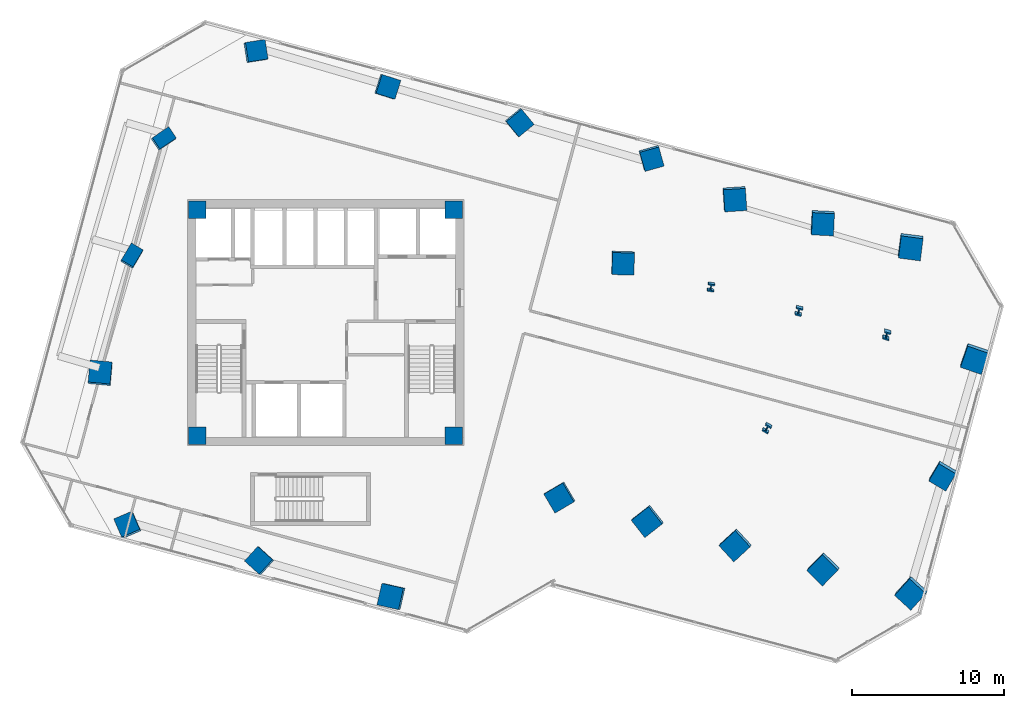
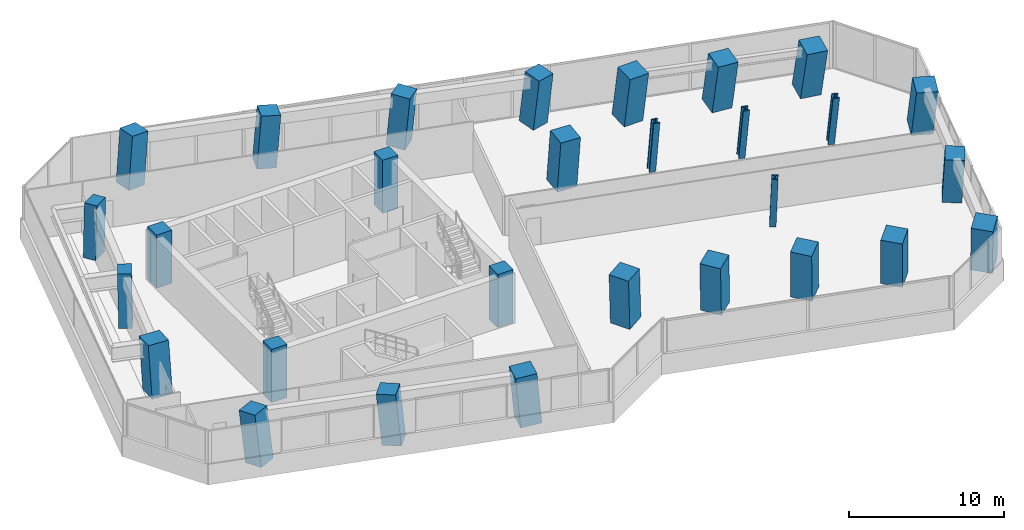
# One storey, part 1 of 26: 29 columns.
"""IFC4 building model written with IfcOpenShell, lengths in metres."""

from ifc_helpers import new_model, si_unit, direction, frame, origin, origin_2d, place, context, subcontext, project, spatial, rectangle, i_section, extrude, clip, halfspace, source, transform, mapped, material, material_profile, profile_set, type_object, element, save


model = new_model("IFC4")

# Units and contexts
model_context = context("Model", 3, precision=1e-05, world=origin(), true_north=direction((0.0, 1.0)))
body_context = subcontext(model_context, "Body", "Model", "MODEL_VIEW")
ifc_project = project(units=[si_unit("LENGTHUNIT", "METRE"), si_unit("AREAUNIT", "SQUARE_METRE"), si_unit("VOLUMEUNIT", "CUBIC_METRE"), si_unit("PLANEANGLEUNIT", "RADIAN"), si_unit("MASSUNIT", "GRAM", prefix="KILO")], contexts=[model_context])

# Site, building, storey
site_placement = place(None, origin())
site = spatial("IfcSite", under=ifc_project, at=site_placement, CompositionType="ELEMENT")
building_placement = place(site_placement, origin())
building = spatial("IfcBuilding", under=site, at=building_placement, Name="Torre Montelarca", CompositionType="ELEMENT")
storey_placement = place(building_placement, frame((0.0, 0.0, 104.199951171875)))
storey = spatial("IfcBuildingStorey", under=building, at=storey_placement, Name="L23", CompositionType="ELEMENT", Elevation=104.199951171875)

# Columns
ifc_material_1 = material(Name="Concrete C55/67", Category="concrete")
ifc_material_profile_1 = material_profile(ifc_material_1, rectangle(XDim=0.89990234375, YDim=1.300048828125, at=origin_2d()), Name="RC1300X900", Category="concrete")
ifc_profile_set_1 = profile_set([ifc_material_profile_1], Name="Concrete C55/67")
column_type_1 = type_object("IfcColumnType", Name="COL-PIL1300-EXT", PredefinedType="PILASTER", material=ifc_profile_set_1)
column_1_placement = place(storey_placement, frame((5.22412109375, 36.361083984375, 0.0), z_axis=(0.023510644538, 0.083966587636, 0.996191177312), x_axis=(0.860632256637, -0.508726650715, 0.022567979268)))
element("IfcColumn", 1, at=column_1_placement, inside=storey, type_object=column_type_1, Name="L23 Column 1W/E", PredefinedType="PILASTER", context=body_context, shape_type="Clipping", body=[
    clip(clip(extrude(rectangle(XDim=0.89990234375, YDim=1.300048828125, at=origin_2d()), origin(), (0.0, 0.0, 1.0), 4.216064453125), halfspace(frame((0.0, 0.0, 0.06591796875), z_axis=(0.0, 0.0, -1.0), x_axis=(1.0, 0.0, 0.0)), False)), halfspace(frame((0.0, 0.0, 4.150146484375), z_axis=(0.0, 0.0, 1.0), x_axis=(1.0, 0.0, 0.0)), False)),
])
column_2_placement = place(storey_placement, frame((7.294677734375, 44.08837890625, 0.0), z_axis=(0.063297021614, 0.072785789023, 0.995336986136), x_axis=(0.559820742609, -0.828237566944, 0.02496535295)))
element("IfcColumn", 2, at=column_2_placement, inside=storey, type_object=column_type_1, Name="L23 Column 1W/F", PredefinedType="PILASTER", context=body_context, shape_type="Clipping", body=[
    clip(clip(extrude(rectangle(XDim=0.89990234375, YDim=1.300048828125, at=origin_2d()), origin(), (0.0, 0.0, 1.0), 4.2197265625), halfspace(frame((0.0, 0.0, 0.07275390625), z_axis=(0.0, 0.0, -1.0), x_axis=(1.0, 0.0, 0.0)), False)), halfspace(frame((0.0, 0.0, 4.14697265625), z_axis=(0.0, 0.0, 1.0), x_axis=(1.0, 0.0, 0.0)), False)),
])
ifc_material_2 = material(Name="Concrete C70/85", Category="concrete")
ifc_material_profile_2 = material_profile(ifc_material_2, rectangle(XDim=1.300048828125, YDim=1.300048828125, at=origin_2d()), Name="RC1300X1300", Category="concrete")
ifc_profile_set_2 = profile_set([ifc_material_profile_2], Name="Concrete C70/85")
column_type_2 = type_object("IfcColumnType", Name="COL-RC1300-EXT", PredefinedType="COLUMN", material=ifc_profile_set_2)
column_3_placement = place(storey_placement, frame((4.97412109375, 18.621337890625, 0.0), z_axis=(-0.068120325532, 0.08608930029, 0.993955861004), x_axis=(0.917104606018, 0.397632779952, 0.028413270265)))
element("IfcColumn", 3, at=column_3_placement, inside=storey, type_object=column_type_2, Name="L23 Column 2/CS", PredefinedType="COLUMN", context=body_context, shape_type="Clipping", body=[
    clip(clip(extrude(rectangle(XDim=1.300048828125, YDim=1.300048828125, at=origin_2d()), origin(), (0.0, 0.0, 1.0), 4.2255859375), halfspace(frame((0.0, 0.0, 0.088623046875), z_axis=(0.0, 0.0, -1.0), x_axis=(1.0, 0.0, 0.0)), False)), halfspace(frame((0.0, 0.0, 4.136962890625), z_axis=(0.0, 0.0, 1.0), x_axis=(1.0, 0.0, 0.0)), False)),
])
column_4_placement = place(storey_placement, frame((13.346923828125, 49.868896484375, 0.0), z_axis=(0.092815704431, 0.041116489627, 0.994833995846), x_axis=(0.155810351759, -0.987437496095, 0.026274047849)))
element("IfcColumn", 4, at=column_4_placement, inside=storey, type_object=column_type_2, Name="L23 Column 2/GN", PredefinedType="COLUMN", context=body_context, shape_type="Clipping", body=[
    clip(clip(extrude(rectangle(XDim=1.300048828125, YDim=1.300048828125, at=origin_2d()), origin(), (0.0, 0.0, 1.0), 4.2216796875), halfspace(frame((0.0, 0.0, 0.08203125), z_axis=(0.0, 0.0, -1.0), x_axis=(1.0, 0.0, 0.0)), False)), halfspace(frame((0.0, 0.0, 4.1396484375), z_axis=(0.0, 0.0, 1.0), x_axis=(1.0, 0.0, 0.0)), False)),
])
column_5_placement = place(storey_placement, frame((13.66748046875, 16.2919921875, 0.0), z_axis=(-0.080755937676, 0.041391036156, 0.99587411888), x_axis=(0.669957556418, 0.742027795746, 0.023486654493)))
element("IfcColumn", 5, at=column_5_placement, inside=storey, type_object=column_type_2, Name="L23 Column 3/CS", PredefinedType="COLUMN", context=body_context, shape_type="Clipping", body=[
    clip(clip(extrude(rectangle(XDim=1.300048828125, YDim=1.300048828125, at=origin_2d()), origin(), (0.0, 0.0, 1.0), 4.21728515625), halfspace(frame((0.0, 0.0, 0.0732421875), z_axis=(0.0, 0.0, -1.0), x_axis=(1.0, 0.0, 0.0)), False)), halfspace(frame((0.0, 0.0, 4.14404296875), z_axis=(0.0, 0.0, 1.0), x_axis=(1.0, 0.0, 0.0)), False)),
])
column_6_placement = place(storey_placement, frame((22.040283203125, 47.53955078125, 0.0), z_axis=(0.080421722381, -0.003650265497, 0.996754243598), x_axis=(-0.301511014644, -0.953234999804, 0.020836103199)))
element("IfcColumn", 6, at=column_6_placement, inside=storey, type_object=column_type_2, Name="L23 Column 3/GN", PredefinedType="COLUMN", context=body_context, shape_type="Clipping", body=[
    clip(clip(extrude(rectangle(XDim=1.300048828125, YDim=1.300048828125, at=origin_2d()), origin(), (0.0, 0.0, 1.0), 4.213623046875), halfspace(frame((0.0, 0.0, 0.06494140625), z_axis=(0.0, 0.0, -1.0), x_axis=(1.0, 0.0, 0.0)), False)), halfspace(frame((0.0, 0.0, 4.148681640625), z_axis=(0.0, 0.0, 1.0), x_axis=(1.0, 0.0, 0.0)), False)),
])
column_7_placement = place(storey_placement, frame((30.733642578125, 45.210205078125, 0.0), z_axis=(0.067889968656, -0.048542486121, 0.996511203749), x_axis=(-0.771615774853, -0.635722031456, 0.021600803684)))
element("IfcColumn", 7, at=column_7_placement, inside=storey, type_object=column_type_2, Name="L23 Column 4/GN", PredefinedType="COLUMN", context=body_context, shape_type="Clipping", body=[
    clip(clip(extrude(rectangle(XDim=1.300048828125, YDim=1.300048828125, at=origin_2d()), origin(), (0.0, 0.0, 1.0), 4.214599609375), halfspace(frame((0.0, 0.0, 0.0673828125), z_axis=(0.0, 0.0, -1.0), x_axis=(1.0, 0.0, 0.0)), False)), halfspace(frame((0.0, 0.0, 4.147216796875), z_axis=(0.0, 0.0, 1.0), x_axis=(1.0, 0.0, 0.0)), False)),
])
column_8_placement = place(storey_placement, frame((39.427001953125, 42.880859375, 0.0), z_axis=(0.055187214382, -0.09315370637, 0.994121098437), x_axis=(-0.962180939911, -0.270965921455, 0.028023352452)))
element("IfcColumn", 8, at=column_8_placement, inside=storey, type_object=column_type_2, Name="L23 Column 5/GN", PredefinedType="COLUMN", context=body_context, shape_type="Clipping", body=[
    clip(clip(extrude(rectangle(XDim=1.300048828125, YDim=1.300048828125, at=origin_2d()), origin(), (0.0, 0.0, 1.0), 4.224853515625), halfspace(frame((0.0, 0.0, 0.08740234375), z_axis=(0.0, 0.0, -1.0), x_axis=(1.0, 0.0, 0.0)), False)), halfspace(frame((0.0, 0.0, 4.137451171875), z_axis=(0.0, 0.0, 1.0), x_axis=(1.0, 0.0, 0.0)), False)),
])
column_9_placement = place(storey_placement, frame((58.68798828125, 22.035400390625, 0.0), z_axis=(-0.05278288811, -0.188844177439, 0.980587499089), x_axis=(-0.861952840318, 0.504442031297, 0.0507497599)))
element("IfcColumn", 9, at=column_9_placement, inside=storey, type_object=column_type_2, Name="L23 Column 9/E", PredefinedType="COLUMN", context=body_context, shape_type="Clipping", body=[
    clip(clip(extrude(rectangle(XDim=1.300048828125, YDim=1.300048828125, at=origin_2d()), origin(), (0.0, 0.0, 1.0), 4.283203125), halfspace(frame((0.0, 0.0, 0.159912109375), z_axis=(0.0, 0.0, -1.0), x_axis=(1.0, 0.0, 0.0)), False)), halfspace(frame((0.0, 0.0, 4.123291015625), z_axis=(0.0, 0.0, 1.0), x_axis=(1.0, 0.0, 0.0)), False)),
])
ifc_material_profile_3 = material_profile(ifc_material_2, rectangle(XDim=1.449951171875, YDim=1.449951171875, at=origin_2d()), Name="RC1450X1450", Category="concrete")
ifc_profile_set_3 = profile_set([ifc_material_profile_3], Name="Concrete C70/85")
column_type_3 = type_object("IfcColumnType", Name="COL-RC1450", PredefinedType="COLUMN", material=ifc_profile_set_3)
column_10_placement = place(storey_placement, frame((33.435302734375, 20.519775390625, 0.0), z_axis=(-0.060058537002, -0.06110101884, 0.996323058867), x_axis=(-0.508099790771, 0.861012712784, 0.022174558447)))
element("IfcColumn", 10, at=column_10_placement, inside=storey, type_object=column_type_3, Name="L23 Column 5/D", PredefinedType="COLUMN", context=body_context, shape_type="Clipping", body=[
    clip(clip(extrude(rectangle(XDim=1.449951171875, YDim=1.449951171875, at=origin_2d()), origin(), (0.0, 0.0, 1.0), 4.21533203125), halfspace(frame((0.0, 0.0, 0.0771484375), z_axis=(0.0, 0.0, -1.0), x_axis=(1.0, 0.0, 0.0)), False)), halfspace(frame((0.0, 0.0, 4.13818359375), z_axis=(0.0, 0.0, 1.0), x_axis=(1.0, 0.0, 0.0)), False)),
])
column_11_placement = place(storey_placement, frame((37.576416015625, 35.974609375, 0.0), z_axis=(0.019691201847, -0.083455946651, 0.99631689815), x_axis=(-0.999328424662, 0.029157610991, 0.022193093171)))
element("IfcColumn", 11, at=column_11_placement, inside=storey, type_object=column_type_3, Name="L23 Column 5/F", PredefinedType="COLUMN", context=body_context, shape_type="Clipping", body=[
    clip(clip(extrude(rectangle(XDim=1.449951171875, YDim=1.449951171875, at=origin_2d()), origin(), (0.0, 0.0, 1.0), 4.215576171875), halfspace(frame((0.0, 0.0, 0.0771484375), z_axis=(0.0, 0.0, -1.0), x_axis=(1.0, 0.0, 0.0)), False)), halfspace(frame((0.0, 0.0, 4.138427734375), z_axis=(0.0, 0.0, 1.0), x_axis=(1.0, 0.0, 0.0)), False)),
])
column_12_placement = place(storey_placement, frame((39.23095703125, 18.966796875, 0.0), z_axis=(-0.068264249605, -0.090787986784, 0.993527822299), x_axis=(-0.617495616546, 0.786024721105, 0.029399002663)))
element("IfcColumn", 12, at=column_12_placement, inside=storey, type_object=column_type_3, Name="L23 Column 6/D", PredefinedType="COLUMN", context=body_context, shape_type="Clipping", body=[
    clip(clip(extrude(rectangle(XDim=1.449951171875, YDim=1.449951171875, at=origin_2d()), origin(), (0.0, 0.0, 1.0), 4.227294921875), halfspace(frame((0.0, 0.0, 0.102294921875), z_axis=(0.0, 0.0, -1.0), x_axis=(1.0, 0.0, 0.0)), False)), halfspace(frame((0.0, 0.0, 4.125), z_axis=(0.0, 0.0, 1.0), x_axis=(1.0, 0.0, 0.0)), False)),
])
column_13_placement = place(storey_placement, frame((44.9248046875, 40.21728515625, 0.0), z_axis=(0.041047961289, -0.121183728413, 0.99178100851), x_axis=(-0.997219027055, -0.066765268873, 0.033115116671)))
element("IfcColumn", 13, at=column_13_placement, inside=storey, type_object=column_type_3, Name="L23 Column 6/G", PredefinedType="COLUMN", context=body_context, shape_type="Clipping", body=[
    clip(clip(extrude(rectangle(XDim=1.449951171875, YDim=1.449951171875, at=origin_2d()), origin(), (0.0, 0.0, 1.0), 4.23486328125), halfspace(frame((0.0, 0.0, 0.115234375), z_axis=(0.0, 0.0, -1.0), x_axis=(1.0, 0.0, 0.0)), False)), halfspace(frame((0.0, 0.0, 4.11962890625), z_axis=(0.0, 0.0, 1.0), x_axis=(1.0, 0.0, 0.0)), False)),
])
column_14_placement = place(storey_placement, frame((45.026611328125, 17.413818359375, 0.0), z_axis=(-0.076352194351, -0.120138192769, 0.989816729024), x_axis=(-0.677808462842, 0.734314874287, 0.036842273285)))
element("IfcColumn", 14, at=column_14_placement, inside=storey, type_object=column_type_3, Name="L23 Column 7/D", PredefinedType="COLUMN", context=body_context, shape_type="Clipping", body=[
    clip(clip(extrude(rectangle(XDim=1.449951171875, YDim=1.449951171875, at=origin_2d()), origin(), (0.0, 0.0, 1.0), 4.2431640625), halfspace(frame((0.0, 0.0, 0.12841796875), z_axis=(0.0, 0.0, -1.0), x_axis=(1.0, 0.0, 0.0)), False)), halfspace(frame((0.0, 0.0, 4.11474609375), z_axis=(0.0, 0.0, 1.0), x_axis=(1.0, 0.0, 0.0)), False)),
])
column_15_placement = place(storey_placement, frame((50.720458984375, 38.664306640625, 0.0), z_axis=(0.032566924694, -0.150370738711, 0.988093131418), x_axis=(-0.998171026608, 0.04548495086, 0.039821111053)))
element("IfcColumn", 15, at=column_15_placement, inside=storey, type_object=column_type_3, Name="L23 Column 7/G", PredefinedType="COLUMN", context=body_context, shape_type="Clipping", body=[
    clip(clip(extrude(rectangle(XDim=1.449951171875, YDim=1.449951171875, at=origin_2d()), origin(), (0.0, 0.0, 1.0), 4.25048828125), halfspace(frame((0.0, 0.0, 0.138916015625), z_axis=(0.0, 0.0, -1.0), x_axis=(1.0, 0.0, 0.0)), False)), halfspace(frame((0.0, 0.0, 4.111572265625), z_axis=(0.0, 0.0, 1.0), x_axis=(1.0, 0.0, 0.0)), False)),
])
column_16_placement = place(storey_placement, frame((50.822021484375, 15.861083984375, 0.0), z_axis=(-0.084243983137, -0.149188019084, 0.985213624686), x_axis=(-0.71571068798, 0.696987703151, 0.044343576393)))
element("IfcColumn", 16, at=column_16_placement, inside=storey, type_object=column_type_3, Name="L23 Column 8/D", PredefinedType="COLUMN", context=body_context, shape_type="Clipping", body=[
    clip(clip(extrude(rectangle(XDim=1.449951171875, YDim=1.449951171875, at=origin_2d()), origin(), (0.0, 0.0, 1.0), 4.262939453125), halfspace(frame((0.0, 0.0, 0.155029296875), z_axis=(0.0, 0.0, -1.0), x_axis=(1.0, 0.0, 0.0)), False)), halfspace(frame((0.0, 0.0, 4.10791015625), z_axis=(0.0, 0.0, 1.0), x_axis=(1.0, 0.0, 0.0)), False)),
])
column_17_placement = place(storey_placement, frame((56.51611328125, 37.111328125, 0.0), z_axis=(0.024126371662, -0.179175471061, 0.983521259943), x_axis=(-0.991256116404, 0.123376535336, 0.04679254449)))
element("IfcColumn", 17, at=column_17_placement, inside=storey, type_object=column_type_3, Name="L23 Column 8/G", PredefinedType="COLUMN", context=body_context, shape_type="Clipping", body=[
    clip(clip(extrude(rectangle(XDim=1.449951171875, YDim=1.449951171875, at=origin_2d()), origin(), (0.0, 0.0, 1.0), 4.270263671875), halfspace(frame((0.0, 0.0, 0.163818359375), z_axis=(0.0, 0.0, -1.0), x_axis=(1.0, 0.0, 0.0)), False)), halfspace(frame((0.0, 0.0, 4.1064453125), z_axis=(0.0, 0.0, 1.0), x_axis=(1.0, 0.0, 0.0)), False)),
])
ifc_material_profile_4 = material_profile(ifc_material_2, rectangle(XDim=1.449951171875, YDim=1.449951171875, at=origin_2d()), Name="RC1450X1450", Category="concrete")
ifc_profile_set_4 = profile_set([ifc_material_profile_4], Name="Concrete C70/85")
column_type_4 = type_object("IfcColumnType", Name="COL-RC1450-EXT", PredefinedType="COLUMN", material=ifc_profile_set_4)
column_18_placement = place(storey_placement, frame((22.36083984375, 13.962646484375, 0.0), z_axis=(-0.093295324518, -0.003472530689, 0.995632424117), x_axis=(0.221582622919, 0.974842179451, 0.024163327263)))
element("IfcColumn", 18, at=column_18_placement, inside=storey, type_object=column_type_4, Name="L23 Perimeter Mega Column 4/CS", PredefinedType="COLUMN", context=body_context, shape_type="Clipping", body=[
    clip(clip(extrude(rectangle(XDim=1.449951171875, YDim=1.449951171875, at=origin_2d()), origin(), (0.0, 0.0, 1.0), 4.21826171875), halfspace(frame((0.0, 0.0, 0.083984375), z_axis=(0.0, 0.0, -1.0), x_axis=(1.0, 0.0, 0.0)), False)), halfspace(frame((0.0, 0.0, 4.13427734375), z_axis=(0.0, 0.0, 1.0), x_axis=(1.0, 0.0, 0.0)), False)),
])
for number, where, z_axis, x_axis, name in (
    (19, (56.61767578125, 14.30810546875, 0.0), (-0.091979563924, -0.1777512192, 0.979767453988), (-0.74133412951, 0.66913412922, 0.051799860381), "L23 Perimeter Mega Column 9/D"),
    (20, (60.7587890625, 29.762939453125, 0.0), (-0.013554887194, -0.199678296222, 0.979767749546), (-0.946533328011, 0.31842027609, 0.051799485898), "L23 Perimeter Mega Column 9/F"),
):
    element("IfcColumn", number, at=place(storey_placement, frame(where, z_axis=z_axis, x_axis=x_axis)), inside=storey, type_object=column_type_4, Name=name, PredefinedType="COLUMN", context=body_context, shape_type="Clipping", body=[
        clip(clip(extrude(rectangle(XDim=1.449951171875, YDim=1.449951171875, at=origin_2d()), origin(), (0.0, 0.0, 1.0), 4.28662109375), halfspace(frame((0.0, 0.0, 0.18212890625), z_axis=(0.0, 0.0, -1.0), x_axis=(1.0, 0.0, 0.0)), False)), halfspace(frame((0.0, 0.0, 4.1044921875), z_axis=(0.0, 0.0, 1.0), x_axis=(1.0, 0.0, 0.0)), False)),
    ])
column_19_placement = place(storey_placement, frame((3.153564453125, 28.6337890625, 0.0), z_axis=(-0.016373995862, 0.095003891187, 0.995342229044), x_axis=(0.995646203218, -0.089811292785, 0.024951346757)))
element("IfcColumn", 21, at=column_19_placement, inside=storey, type_object=column_type_4, Name="L23 Perimeter Mega Column 1W/D", PredefinedType="COLUMN", context=body_context, shape_type="Clipping", body=[
    clip(clip(extrude(rectangle(XDim=1.449951171875, YDim=1.449951171875, at=origin_2d()), origin(), (0.0, 0.0, 1.0), 4.2197265625), halfspace(frame((0.0, 0.0, 0.086669921875), z_axis=(0.0, 0.0, -1.0), x_axis=(1.0, 0.0, 0.0)), False)), halfspace(frame((0.0, 0.0, 4.133056640625), z_axis=(0.0, 0.0, 1.0), x_axis=(1.0, 0.0, 0.0)), False)),
])
ifc_material_3 = material(Name="Steel ASTM A992 Grade 50", Category="steel")
ifc_material_profile_5 = material_profile(ifc_material_3, i_section(OverallWidth=0.431884765625, OverallDepth=0.498046875, WebThickness=0.0556640625, FlangeThickness=0.0888671875, FilletRadius=0.014892578125, at=origin_2d()), Name="W360X744", Category="steel")
ifc_profile_set_5 = profile_set([ifc_material_profile_5], Name="Steel ASTM A992 Grade 50")
column_type_5 = type_object("IfcColumnType", Name="COL-W360X744", PredefinedType="COLUMN", material=ifc_profile_set_5)
column_20_placement = place(storey_placement, frame((43.3720703125, 34.421630859375, 0.0), z_axis=(0.011261876741, -0.113023039907, 0.993528541403), x_axis=(-0.986662274409, 0.160104186763, 0.029397374702)))
element("IfcColumn", 22, at=column_20_placement, inside=storey, type_object=column_type_5, Name="L23 Column 6/F", PredefinedType="COLUMN", context=body_context, shape_type="Clipping", body=[
    clip(clip(extrude(i_section(OverallWidth=0.431884765625, OverallDepth=0.498046875, WebThickness=0.0556640625, FlangeThickness=0.0888671875, FilletRadius=0.014892578125, at=origin_2d()), origin(), (0.0, 0.0, 1.0), 4.227294921875), halfspace(frame((0.0, 0.0, 0.03466796875), z_axis=(0.0, 0.0, -1.0), x_axis=(1.0, 0.0, 0.0)), False)), halfspace(frame((0.0, 0.0, 4.192626953125), z_axis=(0.0, 0.0, 1.0), x_axis=(1.0, 0.0, 0.0)), False)),
])
column_21_placement = place(storey_placement, frame((47.096923828125, 25.141357421875, 0.0), z_axis=(-0.036682452991, -0.131354278291, 0.990656575821), x_axis=(-0.861364861032, 0.506758959131, 0.035297783485)))
element("IfcColumn", 23, at=column_21_placement, inside=storey, type_object=column_type_5, Name="L23 Column 7/E", PredefinedType="COLUMN", context=body_context, shape_type="Clipping", body=[
    clip(clip(extrude(i_section(OverallWidth=0.431884765625, OverallDepth=0.498046875, WebThickness=0.0556640625, FlangeThickness=0.0888671875, FilletRadius=0.014892578125, at=origin_2d()), origin(), (0.0, 0.0, 1.0), 4.239501953125), halfspace(frame((0.0, 0.0, 0.04150390625), z_axis=(0.0, 0.0, -1.0), x_axis=(1.0, 0.0, 0.0)), False)), halfspace(frame((0.0, 0.0, 4.197998046875), z_axis=(0.0, 0.0, 1.0), x_axis=(1.0, 0.0, 0.0)), False)),
])
column_22_placement = place(storey_placement, frame((49.16748046875, 32.86865234375, 0.0), z_axis=(0.002934421261, -0.142290662346, 0.989820567871), x_axis=(-0.971002586925, 0.236214165868, 0.036835363839)))
element("IfcColumn", 24, at=column_22_placement, inside=storey, type_object=column_type_5, Name="L23 Column 7/F", PredefinedType="COLUMN", context=body_context, shape_type="Clipping", body=[
    clip(clip(extrude(i_section(OverallWidth=0.431884765625, OverallDepth=0.498046875, WebThickness=0.0556640625, FlangeThickness=0.0888671875, FilletRadius=0.014892578125, at=origin_2d()), origin(), (0.0, 0.0, 1.0), 4.2431640625), halfspace(frame((0.0, 0.0, 0.04345703125), z_axis=(0.0, 0.0, -1.0), x_axis=(1.0, 0.0, 0.0)), False)), halfspace(frame((0.0, 0.0, 4.19970703125), z_axis=(0.0, 0.0, 1.0), x_axis=(1.0, 0.0, 0.0)), False)),
])
column_23_placement = place(storey_placement, frame((54.963134765625, 31.31591796875, 0.0), z_axis=(-0.005383376269, -0.171237181336, 0.985215127263), x_axis=(-0.957436314569, 0.285218423509, 0.044341340041)))
element("IfcColumn", 25, at=column_23_placement, inside=storey, type_object=column_type_5, Name="L23 Column 8/F", PredefinedType="COLUMN", context=body_context, shape_type="Clipping", body=[
    clip(clip(extrude(i_section(OverallWidth=0.431884765625, OverallDepth=0.498046875, WebThickness=0.0556640625, FlangeThickness=0.0888671875, FilletRadius=0.014892578125, at=origin_2d()), origin(), (0.0, 0.0, 1.0), 4.262939453125), halfspace(frame((0.0, 0.0, 0.05224609375), z_axis=(0.0, 0.0, -1.0), x_axis=(1.0, 0.0, 0.0)), False)), halfspace(frame((0.0, 0.0, 4.210693359375), z_axis=(0.0, 0.0, 1.0), x_axis=(1.0, 0.0, 0.0)), False)),
])
ifc_material_profile_6 = material_profile(ifc_material_1, rectangle(XDim=1.14990234375, YDim=1.14990234375, at=origin_2d()), Name="RC1150X1150", Category="concrete")
ifc_profile_set_6 = profile_set([ifc_material_profile_6], Name="Concrete C55/67")
column_type_6 = type_object("IfcColumnType", Name="COL-RC1150", PredefinedType="COLUMN", material=ifc_profile_set_6)
shared_shape = source(origin(), body_context, "Body", "SweptSolid", [
    extrude(rectangle(XDim=1.14990234375, YDim=1.14990234375, at=origin_2d()), origin(), (0.0, 0.0, 1.0), 4.198486328125),
])
for number, where, z_axis, x_axis, name in (
    (26, (9.550048828125, 24.550048828125, 0.000732421875), (0.0, 0.0, 1.0), (1.0, 0.0, 0.0), "L23 Plumb Core Corner Column 2D"),
    (27, (26.449951171875, 24.550048828125, 0.000732421875), (0.0, 0.0, 1.0), (1.0, 0.0, 0.0), "L23 Plumb Core Corner Column 4D"),
    (28, (9.550048828125, 39.449951171875, 0.000732421875), (0.0, 0.0, 1.0), (1.0, 0.0, 0.0), "L23 Plumb Core Corner Column 2F"),
    (29, (26.449951171875, 39.449951171875, 0.000732421875), (0.0, 0.0, 1.0), (1.0, 0.0, 0.0), "L23 Plumb Core Corner Column 4F"),
):
    element("IfcColumn", number, at=place(storey_placement, frame(where, z_axis=z_axis, x_axis=x_axis)), inside=storey, type_object=column_type_6, Name=name, PredefinedType="COLUMN", context=body_context, shape_type="MappedRepresentation", body=[
        mapped(shared_shape, transform((0.0, 0.0, 0.0), scale=1.0)),
    ])

save(model, "model.ifc")
